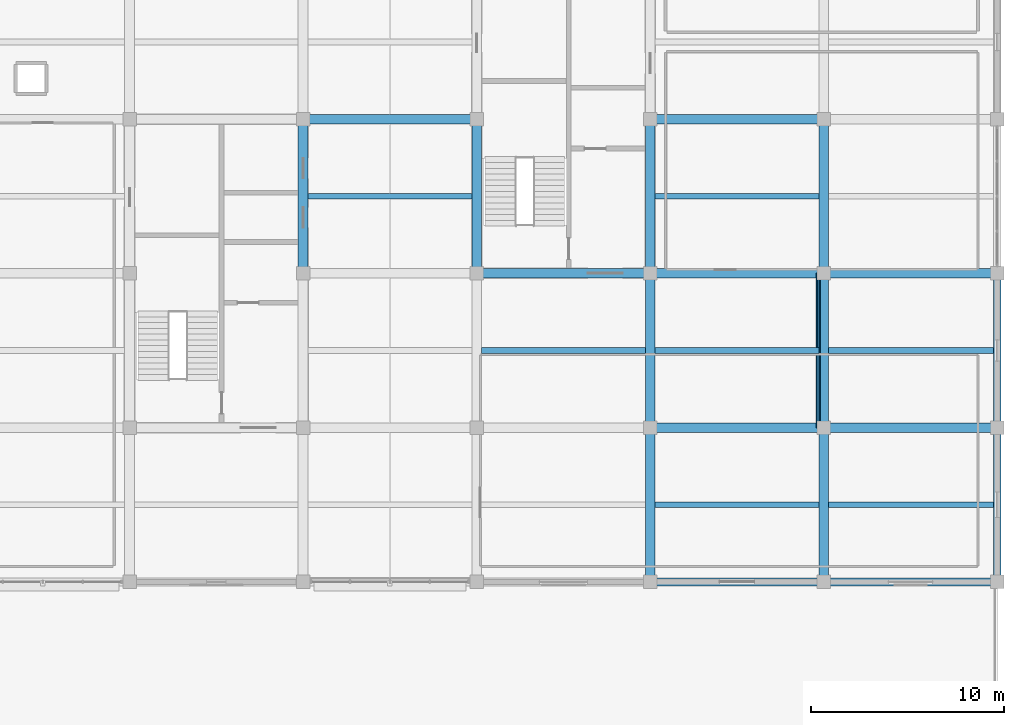
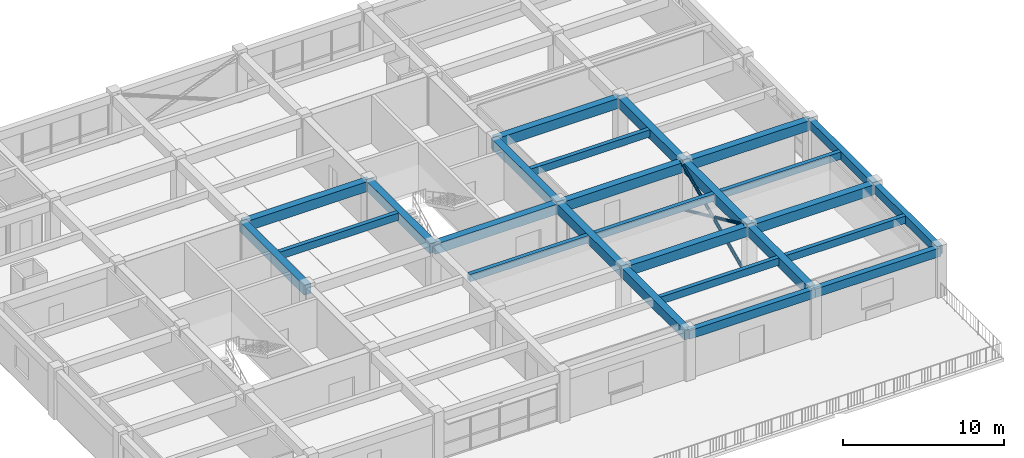
# One storey, part 5 of 14: 26 beams, 2 members.
"""IFC4 building model written with IfcOpenShell, lengths in metres."""

from ifc_helpers import new_model, si_unit, direction, frame, origin, origin_2d, place, context, subcontext, project, spatial, rectangle, hollow_circle, extrude, material, material_profile, profile_set, type_object, element, save


model = new_model("IFC4")

# Units and contexts
model_context = context("Model", 3, precision=1e-05, world=origin(), true_north=direction((0.0, 1.0)))
body_context = subcontext(model_context, "Body", "Model", "MODEL_VIEW")
ifc_project = project(units=[si_unit("LENGTHUNIT", "METRE"), si_unit("AREAUNIT", "SQUARE_METRE"), si_unit("VOLUMEUNIT", "CUBIC_METRE"), si_unit("PLANEANGLEUNIT", "RADIAN"), si_unit("MASSUNIT", "GRAM", prefix="KILO")], contexts=[model_context])

# Site, building, storey
site_placement = place(None, origin())
site = spatial("IfcSite", under=ifc_project, at=site_placement, CompositionType="ELEMENT")
building_placement = place(site_placement, origin())
building = spatial("IfcBuilding", under=site, at=building_placement, Name="Zaverband Oceanarium and Marine Research Institute", CompositionType="ELEMENT")
storey_placement = place(building_placement, frame((0.0, 0.0, 57.0)))
storey = spatial("IfcBuildingStorey", under=building, at=storey_placement, Name="L14", CompositionType="ELEMENT", Elevation=57.0)

# Beams
ifc_material_1 = material(Name="Concrete C40/50", Category="concrete")
ifc_material_profile_1 = material_profile(ifc_material_1, rectangle(XDim=0.5, YDim=0.75, at=origin_2d()), Name="RC500x750")
ifc_profile_set_1 = profile_set([ifc_material_profile_1], Name="Concrete C40/50")
beam_type_1 = type_object("IfcBeamType", Name="BM-500x750", PredefinedType="BEAM", material=ifc_profile_set_1)
for number, where, z_axis, x_axis, name in (
    (1, (45.0, 80.0, 3.27490234375), (1.0, 0.0, 0.0), (0.0, 1.0, 0.0), "Primary floor girder BM-500x750"),
    (2, (54.0, 80.0, 3.27490234375), (1.0, 0.0, 0.0), (0.0, 1.0, 0.0), "Primary floor girder BM-500x750"),
    (3, (36.0, 88.0, 3.27490234375), (1.0, 0.0, 0.0), (0.0, 1.0, 0.0), "Primary floor girder BM-500x750"),
    (4, (45.0, 88.0, 3.27490234375), (1.0, 0.0, 0.0), (0.0, 1.0, 0.0), "Primary floor girder BM-500x750"),
    (5, (54.0, 88.0, 3.27490234375), (1.0, 0.0, 0.0), (0.0, 1.0, 0.0), "Primary floor girder BM-500x750"),
    (6, (27.0, 96.0, 3.27490234375), (1.0, 0.0, 0.0), (0.0, 1.0, 0.0), "Primary floor girder BM-500x750"),
    (7, (45.0, 96.0, 3.27490234375), (1.0, 0.0, 0.0), (0.0, 1.0, 0.0), "Primary floor girder BM-500x750"),
):
    element("IfcBeam", number, at=place(storey_placement, frame(where, z_axis=z_axis, x_axis=x_axis)), inside=storey, type_object=beam_type_1, Name=name, PredefinedType="BEAM", context=body_context, shape_type="SweptSolid", body=[
        extrude(rectangle(XDim=0.5, YDim=0.75, at=origin_2d()), origin(), (0.0, 0.0, 1.0), 9.0),
    ])
for number, where, z_axis, x_axis, name in (
    (8, (27.0, 88.0, 3.27490234375), (0.0, 1.0, 0.0), (-1.0, 0.0, 0.0), "Primary floor girder BM-500x750"),
    (9, (36.0, 88.0, 3.27490234375), (0.0, 1.0, 0.0), (-1.0, 0.0, 0.0), "Primary floor girder BM-500x750"),
    (10, (45.0, 72.0, 3.27490234375), (0.0, 1.0, 0.0), (-1.0, 0.0, 0.0), "Primary floor girder BM-500x750"),
    (11, (45.0, 80.0, 3.27490234375), (0.0, 1.0, 0.0), (-1.0, 0.0, 0.0), "Primary floor girder BM-500x750"),
    (12, (45.0, 88.0, 3.27490234375), (0.0, 1.0, 0.0), (-1.0, 0.0, 0.0), "Primary floor girder BM-500x750"),
    (13, (54.0, 72.0, 3.27490234375), (0.0, 1.0, 0.0), (-1.0, 0.0, 0.0), "Primary floor girder BM-500x750"),
    (14, (54.0, 80.0, 3.27490234375), (0.0, 1.0, 0.0), (-1.0, 0.0, 0.0), "Primary floor girder BM-500x750"),
    (15, (54.0, 88.0, 3.27490234375), (0.0, 1.0, 0.0), (-1.0, 0.0, 0.0), "Primary floor girder BM-500x750"),
):
    element("IfcBeam", number, at=place(storey_placement, frame(where, z_axis=z_axis, x_axis=x_axis)), inside=storey, type_object=beam_type_1, Name=name, PredefinedType="BEAM", context=body_context, shape_type="SweptSolid", body=[
        extrude(rectangle(XDim=0.5, YDim=0.75, at=origin_2d()), origin(), (0.0, 0.0, 1.0), 8.0),
    ])

# Members
ifc_material_2 = material(Name="Steel S355", Category="steel")
ifc_material_profile_2 = material_profile(ifc_material_2, hollow_circle(Radius=0.109619140625, WallThickness=0.008056640625, at=origin_2d()), Name="CHS219x8")
ifc_profile_set_2 = profile_set([ifc_material_profile_2], Name="Steel S355")
member_type = type_object("IfcMemberType", Name="BR-02", PredefinedType="BRACE", material=ifc_profile_set_2)
for number, where, z_axis, x_axis, name in (
    (16, (53.719970703125, 80.0, 0.0), (0.0, 0.909785572369, 0.415078561612), (-1.0, 0.0, 0.0), "Diagonal lateral brace BR-02"),
    (17, (53.719970703125, 88.0, 0.0), (0.0, -0.909785572369, 0.415078561612), (1.0, 0.0, 0.0), "Diagonal lateral brace BR-02"),
):
    element("IfcMember", number, at=place(storey_placement, frame(where, z_axis=z_axis, x_axis=x_axis)), inside=storey, type_object=member_type, Name=name, PredefinedType="BRACE", context=body_context, shape_type="SweptSolid", body=[
        extrude(hollow_circle(Radius=0.109619140625, WallThickness=0.008056640625, at=origin_2d()), origin(), (0.0, 0.0, 1.0), 8.793212890625),
    ])

# Beams
ifc_material_profile_3 = material_profile(ifc_material_1, rectangle(XDim=0.300048828125, YDim=0.550048828125, at=origin_2d()), Name="RC300x550")
ifc_profile_set_3 = profile_set([ifc_material_profile_3], Name="Concrete C40/50")
beam_type_2 = type_object("IfcBeamType", Name="JST-300x550", PredefinedType="JOIST", material=ifc_profile_set_3)
for number, where, z_axis, x_axis, name in (
    (18, (27.25, 92.0, 3.375), (1.0, 0.0, 0.0), (0.0, 1.0, 0.0), "Secondary floor joist JST-300x550"),
    (19, (36.25, 84.0, 3.375), (1.0, 0.0, 0.0), (0.0, 1.0, 0.0), "Secondary floor joist JST-300x550"),
    (20, (45.25, 76.0, 3.375), (1.0, 0.0, 0.0), (0.0, 1.0, 0.0), "Secondary floor joist JST-300x550"),
    (21, (45.25, 84.0, 3.375), (1.0, 0.0, 0.0), (0.0, 1.0, 0.0), "Secondary floor joist JST-300x550"),
    (22, (45.25, 92.0, 3.375), (1.0, 0.0, 0.0), (0.0, 1.0, 0.0), "Secondary floor joist JST-300x550"),
):
    element("IfcBeam", number, at=place(storey_placement, frame(where, z_axis=z_axis, x_axis=x_axis)), inside=storey, type_object=beam_type_2, Name=name, PredefinedType="JOIST", context=body_context, shape_type="SweptSolid", body=[
        extrude(rectangle(XDim=0.300048828125, YDim=0.550048828125, at=origin_2d()), origin(), (0.0, 0.0, 1.0), 8.5),
    ])
for number, where, z_axis, x_axis, name in (
    (23, (54.25, 76.0, 3.375), (1.0, 0.0, 0.0), (0.0, 1.0, 0.0), "Secondary floor joist JST-300x550"),
    (24, (54.25, 84.0, 3.375), (1.0, 0.0, 0.0), (0.0, 1.0, 0.0), "Secondary floor joist JST-300x550"),
):
    element("IfcBeam", number, at=place(storey_placement, frame(where, z_axis=z_axis, x_axis=x_axis)), inside=storey, type_object=beam_type_2, Name=name, PredefinedType="JOIST", context=body_context, shape_type="SweptSolid", body=[
        extrude(rectangle(XDim=0.300048828125, YDim=0.550048828125, at=origin_2d()), origin(), (0.0, 0.0, 1.0), 8.550048828125),
    ])
ifc_material_profile_4 = material_profile(ifc_material_1, rectangle(XDim=0.39990234375, YDim=0.64990234375, at=origin_2d()), Name="RC400x650")
ifc_profile_set_4 = profile_set([ifc_material_profile_4], Name="Concrete C40/50")
beam_type_3 = type_object("IfcBeamType", Name="SPN-400x650", PredefinedType="SPANDREL", material=ifc_profile_set_4)
for number, where, z_axis, x_axis, name in (
    (25, (45.0, 72.0, 3.324951171875), (1.0, 0.0, 0.0), (0.0, 1.0, 0.0), "Perimeter spandrel beam SPN-400x650"),
    (26, (54.0, 72.0, 3.324951171875), (1.0, 0.0, 0.0), (0.0, 1.0, 0.0), "Perimeter spandrel beam SPN-400x650"),
):
    element("IfcBeam", number, at=place(storey_placement, frame(where, z_axis=z_axis, x_axis=x_axis)), inside=storey, type_object=beam_type_3, Name=name, PredefinedType="SPANDREL", context=body_context, shape_type="SweptSolid", body=[
        extrude(rectangle(XDim=0.39990234375, YDim=0.64990234375, at=origin_2d()), origin(), (0.0, 0.0, 1.0), 9.0),
    ])
for number, where, z_axis, x_axis, name in (
    (27, (63.0, 72.0, 3.324951171875), (0.0, 1.0, 0.0), (-1.0, 0.0, 0.0), "Perimeter spandrel beam SPN-400x650"),
    (28, (63.0, 80.0, 3.324951171875), (0.0, 1.0, 0.0), (-1.0, 0.0, 0.0), "Perimeter spandrel beam SPN-400x650"),
):
    element("IfcBeam", number, at=place(storey_placement, frame(where, z_axis=z_axis, x_axis=x_axis)), inside=storey, type_object=beam_type_3, Name=name, PredefinedType="SPANDREL", context=body_context, shape_type="SweptSolid", body=[
        extrude(rectangle(XDim=0.39990234375, YDim=0.64990234375, at=origin_2d()), origin(), (0.0, 0.0, 1.0), 8.0),
    ])

save(model, "model.ifc")
